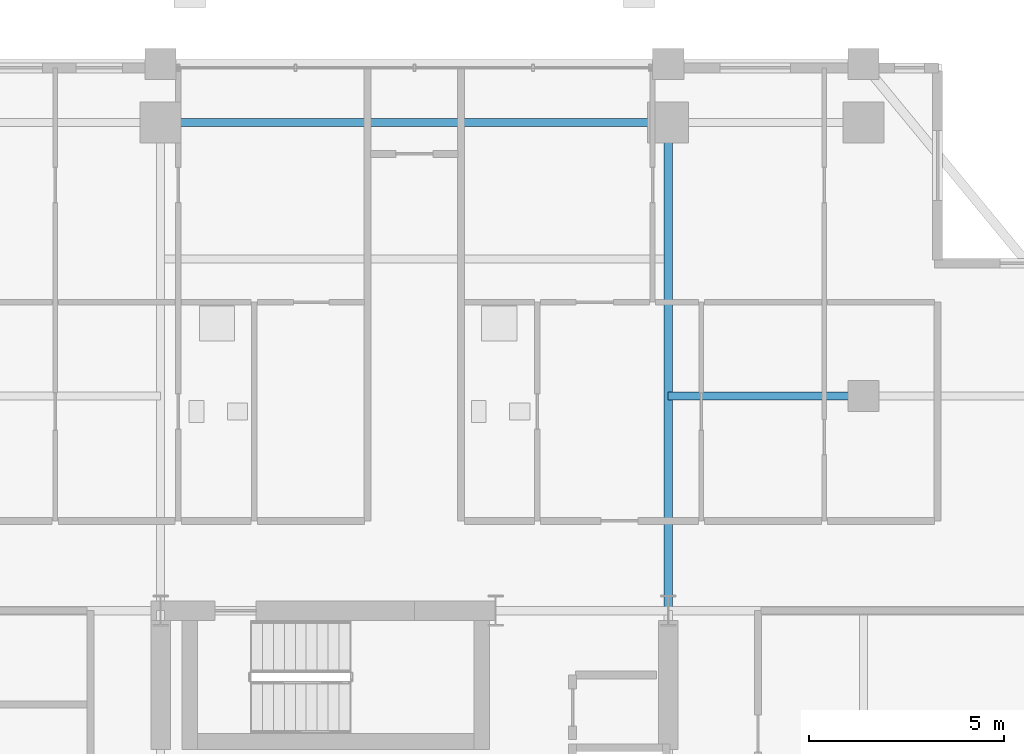
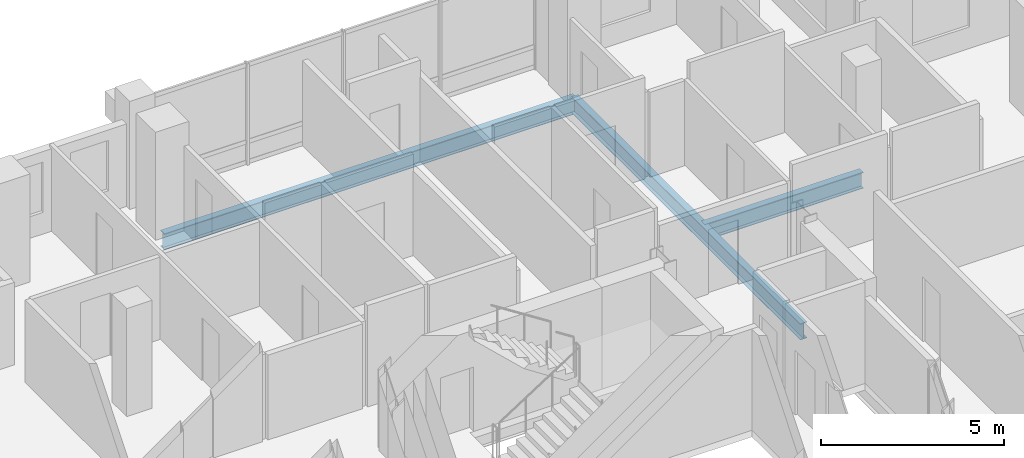
# One storey, part 14 of 24: 3 beams.
"""IFC4 building model written with IfcOpenShell, lengths in metres."""

import ifcopenshell
import ifcopenshell.guid

model = None  # the IFC model being written
_history = None  # IfcOwnerHistory: only IFC2X3 demands one
_inside = {}  # id of a spatial element -> (the spatial element, [elements in it])
_under = {}  # id of a project, library or spatial element -> (it, [spatial elements below it])
_declared = {}  # id of a project -> (the project, [libraries it declares])
_typed = {}  # id of a type object -> (the type object, [elements of that type])
_made_of = {}  # id of a material, layer set ... -> (it, [elements and type objects made of it])


def new_model(schema):
    """Start an empty IFC model of exactly this schema.

    Asked for "IFC4X3", IfcOpenShell would pick the latest addendum, in which some entities
    have other attributes; the version numbers below select the first issue.
    IFC2X3 requires an IfcOwnerHistory on every rooted entity: one is made here for all.
    """
    global model, _history
    if schema == "IFC4X3":
        model = ifcopenshell.file(schema_version=(4, 3, 0, 0))
    else:
        model = ifcopenshell.file(schema=schema)
    _inside.clear()
    _under.clear()
    _declared.clear()
    _typed.clear()
    _made_of.clear()
    _history = None
    if model.schema == "IFC2X3":
        org = make("IfcOrganization", Name="unknown")
        user = make(
            "IfcPersonAndOrganization",
            ThePerson=make("IfcPerson", FamilyName="unknown"),
            TheOrganization=org,
        )
        app = make(
            "IfcApplication",
            ApplicationDeveloper=org,
            Version="unknown",
            ApplicationFullName="unknown",
            ApplicationIdentifier="unknown",
        )
        _history = make(
            "IfcOwnerHistory",
            OwningUser=user,
            OwningApplication=app,
            ChangeAction="ADDED",
            CreationDate=0,
        )
    return model


def make(cls, **values):
    """One entity of the class cls with the attributes given. An attribute that is None is left unset."""
    return model.create_entity(
        cls, **{name: value for name, value in values.items() if value is not None}
    )


def rooted(cls, **values):
    """An entity with a GlobalId (a new one), such as an element, a storey or a relation."""
    return make(cls, GlobalId=ifcopenshell.guid.new(), OwnerHistory=_history, **values)


def si_unit(unit_type, name, prefix=None):
    """IfcSIUnit, for example si_unit("LENGTHUNIT", "METRE", prefix="MILLI")."""
    return make("IfcSIUnit", UnitType=unit_type, Prefix=prefix, Name=name)


def assignment(units):
    """IfcUnitAssignment: the units of a project."""
    return None if units is None else make("IfcUnitAssignment", Units=units)


def point(xyz):
    """IfcCartesianPoint."""
    return None if xyz is None else make("IfcCartesianPoint", Coordinates=xyz)


def direction(xyz):
    """IfcDirection."""
    return None if xyz is None else make("IfcDirection", DirectionRatios=xyz)


def frame(location, z_axis=None, x_axis=None):
    """IfcAxis2Placement3D, a coordinate frame: its origin and axes. An axis left out is left unset."""
    return make(
        "IfcAxis2Placement3D",
        Location=point(location),
        Axis=direction(z_axis),
        RefDirection=direction(x_axis),
    )


def frame_2d(location, x_axis=None):
    """IfcAxis2Placement2D, a coordinate frame in the plane: its origin and x axis."""
    return make(
        "IfcAxis2Placement2D", Location=point(location), RefDirection=direction(x_axis)
    )


def origin():
    """The frame at (0, 0, 0) with its axes left unset."""
    return frame((0.0, 0.0, 0.0))


def origin_2d():
    """The frame at (0, 0) in the plane with its x axis left unset."""
    return frame_2d((0.0, 0.0))


def place(relative_to, where):
    """IfcLocalPlacement: puts the frame where relative to a parent placement (None: the world)."""
    return make(
        "IfcLocalPlacement", PlacementRelTo=relative_to, RelativePlacement=where
    )


def context(
    kind, dimensions, precision=None, world=None, true_north=None, identifier=None
):
    """IfcGeometricRepresentationContext, for example the 3D "Model" context."""
    return make(
        "IfcGeometricRepresentationContext",
        ContextIdentifier=identifier,
        ContextType=kind,
        CoordinateSpaceDimension=dimensions,
        Precision=precision,
        WorldCoordinateSystem=world,
        TrueNorth=true_north,
    )


def subcontext(parent, identifier, kind, view, scale=None):
    """IfcGeometricRepresentationSubContext, for example "Body" below "Model"."""
    return make(
        "IfcGeometricRepresentationSubContext",
        ContextIdentifier=identifier,
        ContextType=kind,
        ParentContext=parent,
        TargetScale=scale,
        TargetView=view,
    )


def project(units=None, contexts=None):
    """IfcProject with its units and contexts."""
    return rooted(
        "IfcProject",
        Name="project",
        RepresentationContexts=contexts,
        UnitsInContext=assignment(units),
    )


def spatial(cls, under=None, at=None, **own):
    """A site, building, storey or space (cls), placed at a placement, below another one or the project."""
    s = rooted(cls, ObjectPlacement=at, **own)
    if under is not None:
        _under.setdefault(under.id(), (under, []))[1].append(s)
    return s


def profile(cls, at=None, kind="AREA", **sizes):
    """A parametric profile (cls). Its sizes go by their IFC names, for example OverallWidth=200.0."""
    return make(cls, ProfileType=kind, Position=at, **sizes)


def i_section(**sizes):
    """IfcIShapeProfileDef."""
    return profile("IfcIShapeProfileDef", **sizes)


def extrude(swept, where, along, depth):
    """IfcExtrudedAreaSolid: the profile swept, set in the frame where, extruded along a direction by depth."""
    return make(
        "IfcExtrudedAreaSolid",
        SweptArea=swept,
        Position=where,
        ExtrudedDirection=direction(along),
        Depth=depth,
    )


def shape(context_of_items, identifier, shape_type, items):
    """IfcShapeRepresentation: the items that make up one representation, for example the "Body"."""
    return make(
        "IfcShapeRepresentation",
        ContextOfItems=context_of_items,
        RepresentationIdentifier=identifier,
        RepresentationType=shape_type,
        Items=items,
    )


def material(Name=None, Category=None):
    """IfcMaterial."""
    return make("IfcMaterial", Name=Name, Category=Category)


def material_profile(
    of_material, cross_section, Name=None, Category=None, Priority=None
):
    """IfcMaterialProfile: a cross section and its material."""
    return make(
        "IfcMaterialProfile",
        Name=Name,
        Material=of_material,
        Profile=cross_section,
        Priority=Priority,
        Category=Category,
    )


def profile_set(profiles, Name=None, composite=None):
    """IfcMaterialProfileSet."""
    return make(
        "IfcMaterialProfileSet",
        Name=Name,
        MaterialProfiles=profiles,
        CompositeProfile=composite,
    )


def made_of(thing, what):
    """Note that an element or type object is made of a material, layer set ...; save() writes the relation."""
    if what is not None:
        _made_of.setdefault(what.id(), (what, []))[1].append(thing)
    return thing


def type_object(cls, material=None, **own):
    """A type object (cls), such as IfcWallType, which elements share."""
    return made_of(rooted(cls, **own), material)


def element(
    cls,
    number,
    at=None,
    inside=None,
    cuts=None,
    type_object=None,
    material=None,
    context=None,
    identifier="Body",
    shape_type=None,
    held_by="IfcProductDefinitionShape",
    body=None,
    shapes=None,
    **own,
):
    """One element of the class cls, such as IfcWall. Its Tag is "e" and its number.

    at: its placement. inside: the storey or other place that contains it. cuts: it is an
    opening in that element (IfcRelVoidsElement). A single representation is given by context,
    identifier, shape_type and body (its items); several are given by shapes. held_by: the class
    of the entity that holds the representations. save() writes the other relations.
    """
    e = rooted(cls, Tag="e%d" % number, ObjectPlacement=at, **own)
    if body is not None:
        shapes = [shape(context, identifier, shape_type, body)]
    if shapes is not None:
        e.Representation = make(held_by, Representations=shapes)
    if inside is not None:
        _inside.setdefault(inside.id(), (inside, []))[1].append(e)
    if cuts is not None:
        rooted(
            "IfcRelVoidsElement", RelatingBuildingElement=cuts, RelatedOpeningElement=e
        )
    if type_object is not None:
        _typed.setdefault(type_object.id(), (type_object, []))[1].append(e)
    return made_of(e, material)


def aggregate(whole, parts):
    """IfcRelAggregates: a whole, such as a stair, and the parts it consists of."""
    return rooted("IfcRelAggregates", RelatingObject=whole, RelatedObjects=parts)


def save(model, path):
    """Write the relations noted so far, then the file.

    IfcRelAggregates (storeys below a building ...), IfcRelContainedInSpatialStructure (elements
    in a storey), IfcRelDefinesByType, IfcRelAssociatesMaterial and IfcRelDeclares: one each for
    every whole, place, type object, material and project.
    """
    for whole, parts in _under.values():
        aggregate(whole, parts)
    for where, things in _inside.values():
        rooted(
            "IfcRelContainedInSpatialStructure",
            RelatedElements=things,
            RelatingStructure=where,
        )
    for kind, things in _typed.values():
        rooted("IfcRelDefinesByType", RelatedObjects=things, RelatingType=kind)
    for what, things in _made_of.values():
        rooted("IfcRelAssociatesMaterial", RelatedObjects=things, RelatingMaterial=what)
    for by, libraries in _declared.values():
        rooted("IfcRelDeclares", RelatingContext=by, RelatedDefinitions=libraries)
    model.write(path)


model = new_model("IFC4")

# Units and contexts
model_context = context("Model", 3, precision=1e-05, world=origin(), true_north=direction((0.0, 1.0)))
body_context = subcontext(model_context, "Body", "Model", "MODEL_VIEW")
ifc_project = project(units=[si_unit("LENGTHUNIT", "METRE"), si_unit("AREAUNIT", "SQUARE_METRE"), si_unit("VOLUMEUNIT", "CUBIC_METRE"), si_unit("PLANEANGLEUNIT", "RADIAN"), si_unit("MASSUNIT", "GRAM", prefix="KILO")], contexts=[model_context])

# Site, building, storey
site_placement = place(None, origin())
site = spatial("IfcSite", under=ifc_project, at=site_placement, CompositionType="ELEMENT")
building_placement = place(site_placement, origin())
building = spatial("IfcBuilding", under=site, at=building_placement, Name="Barlavira Tower and Art Museum", CompositionType="ELEMENT")
storey_placement = place(building_placement, frame((0.0, 0.0, 201.60009765625)))
storey = spatial("IfcBuildingStorey", under=building, at=storey_placement, Name="L52", CompositionType="ELEMENT", Elevation=201.60009765625)

# Beams
ifc_material = material(Name="Steel S355", Category="steel")
ifc_material_profile = material_profile(ifc_material, i_section(OverallWidth=0.2109375, OverallDepth=0.5390625, WebThickness=0.01171875, FlangeThickness=0.018798828125, at=origin_2d()), Name="W530x109.0")
ifc_profile_set = profile_set([ifc_material_profile], Name="Steel S355")
beam_type = type_object("IfcBeamType", Name="Zone 3-4 Primary Floor Girder W530x109 Steel S355", PredefinedType="BEAM", material=ifc_profile_set)
beam_1_placement = place(storey_placement, frame((-6.5, 20.0, -0.489501953125), z_axis=(1.0, 0.0, 0.0), x_axis=(0.0, 1.0, 0.0)))
element("IfcBeam", 1, at=beam_1_placement, inside=storey, type_object=beam_type, Name="L52 Girder M-N2", PredefinedType="BEAM", context=body_context, shape_type="SweptSolid", body=[
    extrude(i_section(OverallWidth=0.2109375, OverallDepth=0.5390625, WebThickness=0.01171875, FlangeThickness=0.018798828125, at=origin_2d()), origin(), (0.0, 0.0, 1.0), 13.0),
])
beam_2_placement = place(storey_placement, frame((6.5, 7.5, -0.489501953125), z_axis=(0.0, 1.0, 0.0), x_axis=(-1.0, 0.0, 0.0)))
element("IfcBeam", 2, at=beam_2_placement, inside=storey, type_object=beam_type, Name="L52 Girder R-N2", PredefinedType="BEAM", context=body_context, shape_type="SweptSolid", body=[
    extrude(i_section(OverallWidth=0.2109375, OverallDepth=0.5390625, WebThickness=0.01171875, FlangeThickness=0.018798828125, at=origin_2d()), origin(), (0.0, 0.0, 1.0), 12.5),
])
beam_3_placement = place(storey_placement, frame((6.5, 13.0, -0.489501953125), z_axis=(1.0, 0.0, 0.0), x_axis=(0.0, 1.0, 0.0)))
element("IfcBeam", 3, at=beam_3_placement, inside=storey, type_object=beam_type, Name="L52 Girder I-N3", PredefinedType="BEAM", context=body_context, shape_type="SweptSolid", body=[
    extrude(i_section(OverallWidth=0.2109375, OverallDepth=0.5390625, WebThickness=0.01171875, FlangeThickness=0.018798828125, at=origin_2d()), origin(), (0.0, 0.0, 1.0), 5.0),
])

save(model, "model.ifc")
